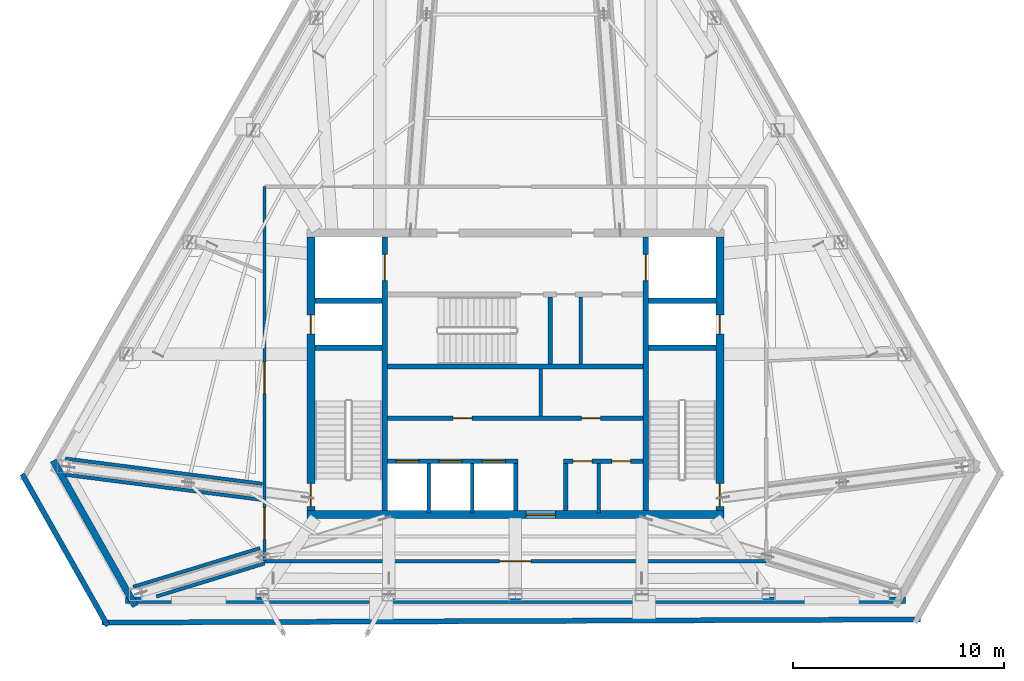
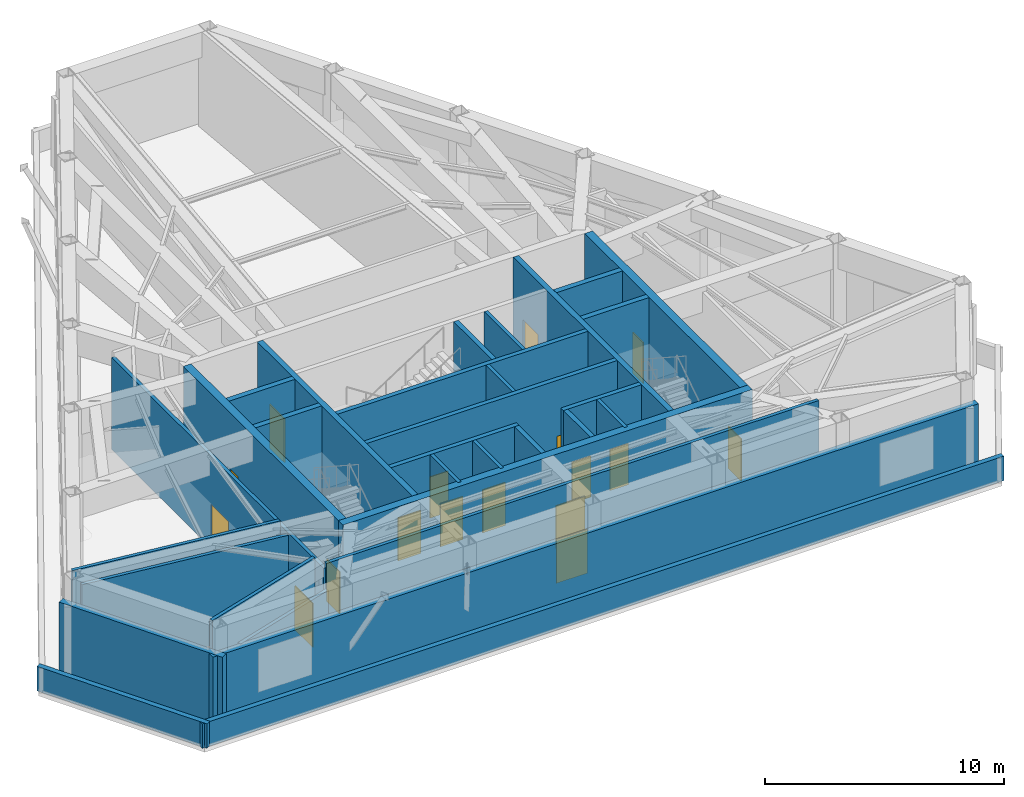
# One storey, part 9 of 13: 31 walls, 17 doors, 17 openings.
"""IFC4 building model written with IfcOpenShell, lengths in metres."""

from ifc_helpers import new_model, si_unit, direction, frame, frame_2d, origin, place, context, subcontext, project, spatial, rectangle, extrude, material, layer, layer_set, type_object, element, fill, save


model = new_model("IFC4")

# Units and contexts
model_context = context("Model", 3, precision=1e-05, world=origin(), true_north=direction((0.0, 1.0)))
body_context = subcontext(model_context, "Body", "Model", "MODEL_VIEW")
ifc_project = project(units=[si_unit("LENGTHUNIT", "METRE"), si_unit("AREAUNIT", "SQUARE_METRE"), si_unit("VOLUMEUNIT", "CUBIC_METRE"), si_unit("PLANEANGLEUNIT", "RADIAN"), si_unit("MASSUNIT", "GRAM", prefix="KILO")], contexts=[model_context])

# Site, building, storey
site_placement = place(None, origin())
site = spatial("IfcSite", under=ifc_project, at=site_placement, CompositionType="ELEMENT")
building_placement = place(site_placement, origin())
building = spatial("IfcBuilding", under=site, at=building_placement, Name="Kavelnor Concourse Tower", CompositionType="ELEMENT")
storey_placement = place(building_placement, frame((0.0, 0.0, 234.300048828125)))
storey = spatial("IfcBuildingStorey", under=building, at=storey_placement, Name="L59", CompositionType="ELEMENT", Elevation=234.300048828125)

# Wall, opening, door
ifc_material_1 = material(Name="Concrete C50/60", Category="concrete")
ifc_layer_1 = layer(ifc_material_1, 0.3798828125, Name="Concrete C50/60")
ifc_layer_set_1 = layer_set([ifc_layer_1], Name="Concrete C50/60")
wall_type_1 = type_object("IfcWallType", Name="WL-CORE-Z4-380", PredefinedType="SOLIDWALL", material=ifc_layer_set_1)
wall_1_placement = place(storey_placement, frame((28.10009765625, 9.409912109375, 0.0), z_axis=(0.0, 0.0, 1.0), x_axis=(1.0, 0.0, 0.0)))
wall_1 = element("IfcWall", 1, at=wall_1_placement, inside=storey, type_object=wall_type_1, Name="L59 Central Core South Shear Wall", PredefinedType="SOLIDWALL", context=body_context, shape_type="SweptSolid", body=[
    extrude(rectangle(XDim=19.7998046875, YDim=0.3798828125, at=frame_2d((9.89990234375, 0.0))), origin(), (0.0, 0.0, 1.0), 4.9599609375),
])
opening_1_placement = place(wall_1_placement, frame((10.39990234375, 0.0, 0.0)))
opening_1 = element("IfcOpeningElement", 2, at=opening_1_placement, cuts=wall_1, Name="Opening SD-140", PredefinedType="OPENING", context=body_context, shape_type="SweptSolid", body=[
    extrude(rectangle(XDim=1.39990234375, YDim=2.199951171875, at=frame_2d((0.699951171875, 1.10009765625))), frame((0.0, 0.199951171875, 0.0), z_axis=(0.0, -1.0, 0.0), x_axis=(1.0, 0.0, 0.0)), (0.0, 0.0, 1.0), 0.39990234375),
])
ifc_material_2 = material(Name="Solid-core hardwood timber", Category="wood")
door_type_1 = type_object("IfcDoorType", Name="DR-SUITE-ENTRY-1400", OperationType="NOTDEFINED", PredefinedType="DOOR", material=ifc_material_2)
door_1_placement = place(opening_1_placement, origin())
door_1 = element("IfcDoor", 3, at=door_1_placement, inside=storey, type_object=door_type_1, Name="L59 Passenger Lift Lobby Entry Door", OperationType="SINGLE_SWING_RIGHT", OverallHeight=2.199951171875, OverallWidth=1.39990234375, PredefinedType="DOOR", context=body_context, shape_type="SweptSolid", body=[
    extrude(rectangle(XDim=1.39990234375, YDim=2.199951171875, at=frame_2d((0.699951171875, 1.10009765625))), frame((0.0, 0.02490234375, 0.0), z_axis=(0.0, -1.0, 0.0), x_axis=(1.0, 0.0, 0.0)), (0.0, 0.0, 1.0), 0.050048828125),
])
fill(opening_1, door_1)

# Wall, openings, doors
wall_2_placement = place(storey_placement, frame((28.2900390625, 9.60009765625, 0.0), z_axis=(0.0, 0.0, 1.0), x_axis=(0.0, 1.0, 0.0)))
wall_2 = element("IfcWall", 4, at=wall_2_placement, inside=storey, type_object=wall_type_1, Name="L59 Central Core West Shear Wall", PredefinedType="SOLIDWALL", context=body_context, shape_type="SweptSolid", body=[
    extrude(rectangle(XDim=13.0, YDim=0.3798828125, at=frame_2d((6.5, 0.0))), origin(), (0.0, 0.0, 1.0), 4.9599609375),
])
opening_2_placement = place(wall_2_placement, frame((0.199951171875, 0.0, 0.0)))
opening_2 = element("IfcOpeningElement", 5, at=opening_2_placement, cuts=wall_2, Name="Opening FD-110", PredefinedType="OPENING", context=body_context, shape_type="SweptSolid", body=[
    extrude(rectangle(XDim=1.10009765625, YDim=2.14990234375, at=frame_2d((0.550048828125, 1.074951171875))), frame((0.0, 0.199951171875, 0.0), z_axis=(0.0, -1.0, 0.0), x_axis=(1.0, 0.0, 0.0)), (0.0, 0.0, 1.0), 0.39990234375),
])
opening_3_placement = place(wall_2_placement, frame((8.39990234375, 0.0, 0.0)))
opening_3 = element("IfcOpeningElement", 6, at=opening_3_placement, cuts=wall_2, Name="Opening FD-090", PredefinedType="OPENING", context=body_context, shape_type="SweptSolid", body=[
    extrude(rectangle(XDim=0.89990234375, YDim=2.10009765625, at=frame_2d((0.449951171875, 1.050048828125))), frame((0.0, 0.199951171875, 0.0), z_axis=(0.0, -1.0, 0.0), x_axis=(1.0, 0.0, 0.0)), (0.0, 0.0, 1.0), 0.39990234375),
])
ifc_material_3 = material(Name="Steel Grade 350", Category="steel")
door_type_2 = type_object("IfcDoorType", Name="DR-RISER-FIRE-900", OperationType="NOTDEFINED", PredefinedType="DOOR", material=ifc_material_3)
door_2_placement = place(opening_3_placement, origin())
door_2 = element("IfcDoor", 7, at=door_2_placement, inside=storey, type_object=door_type_2, Name="L59 West Riser Access Door", OperationType="SINGLE_SWING_RIGHT", OverallHeight=2.10009765625, OverallWidth=0.89990234375, PredefinedType="DOOR", context=body_context, shape_type="SweptSolid", body=[
    extrude(rectangle(XDim=0.89990234375, YDim=2.10009765625, at=frame_2d((0.449951171875, 1.050048828125))), frame((0.0, 0.02490234375, 0.0), z_axis=(0.0, -1.0, 0.0), x_axis=(1.0, 0.0, 0.0)), (0.0, 0.0, 1.0), 0.050048828125),
])
fill(opening_3, door_2)
door_type_3 = type_object("IfcDoorType", Name="DR-STAIR-FIRE-1100", OperationType="NOTDEFINED", PredefinedType="DOOR", material=ifc_material_3)
door_3_placement = place(opening_2_placement, origin())
door_3 = element("IfcDoor", 8, at=door_3_placement, inside=storey, type_object=door_type_3, Name="L59 Stair ST1 Fire Door", OperationType="SINGLE_SWING_LEFT", OverallHeight=2.14990234375, OverallWidth=1.10009765625, PredefinedType="DOOR", context=body_context, shape_type="SweptSolid", body=[
    extrude(rectangle(XDim=1.10009765625, YDim=2.14990234375, at=frame_2d((0.550048828125, 1.074951171875))), frame((0.0, 0.02490234375, 0.0), z_axis=(0.0, -1.0, 0.0), x_axis=(1.0, 0.0, 0.0)), (0.0, 0.0, 1.0), 0.050048828125),
])
fill(opening_2, door_3)

wall_3_placement = place(storey_placement, frame((47.7099609375, 9.60009765625, 0.0), z_axis=(0.0, 0.0, 1.0), x_axis=(0.0, 1.0, 0.0)))
wall_3 = element("IfcWall", 9, at=wall_3_placement, inside=storey, type_object=wall_type_1, Name="L59 Central Core East Shear Wall", PredefinedType="SOLIDWALL", context=body_context, shape_type="SweptSolid", body=[
    extrude(rectangle(XDim=13.0, YDim=0.3798828125, at=frame_2d((6.5, 0.0))), origin(), (0.0, 0.0, 1.0), 4.9599609375),
])
opening_4_placement = place(wall_3_placement, frame((0.199951171875, 0.0, 0.0)))
opening_4 = element("IfcOpeningElement", 10, at=opening_4_placement, cuts=wall_3, Name="Opening FD-110", PredefinedType="OPENING", context=body_context, shape_type="SweptSolid", body=[
    extrude(rectangle(XDim=1.10009765625, YDim=2.14990234375, at=frame_2d((0.550048828125, 1.074951171875))), frame((0.0, 0.199951171875, 0.0), z_axis=(0.0, -1.0, 0.0), x_axis=(1.0, 0.0, 0.0)), (0.0, 0.0, 1.0), 0.39990234375),
])
opening_5_placement = place(wall_3_placement, frame((8.39990234375, 0.0, 0.0)))
opening_5 = element("IfcOpeningElement", 11, at=opening_5_placement, cuts=wall_3, Name="Opening FD-090", PredefinedType="OPENING", context=body_context, shape_type="SweptSolid", body=[
    extrude(rectangle(XDim=0.89990234375, YDim=2.10009765625, at=frame_2d((0.449951171875, 1.050048828125))), frame((0.0, 0.199951171875, 0.0), z_axis=(0.0, -1.0, 0.0), x_axis=(1.0, 0.0, 0.0)), (0.0, 0.0, 1.0), 0.39990234375),
])
door_4_placement = place(opening_5_placement, origin())
door_4 = element("IfcDoor", 12, at=door_4_placement, inside=storey, type_object=door_type_2, Name="L59 East Riser Access Door", OperationType="SINGLE_SWING_LEFT", OverallHeight=2.10009765625, OverallWidth=0.89990234375, PredefinedType="DOOR", context=body_context, shape_type="SweptSolid", body=[
    extrude(rectangle(XDim=0.89990234375, YDim=2.10009765625, at=frame_2d((0.449951171875, 1.050048828125))), frame((0.0, 0.02490234375, 0.0), z_axis=(0.0, -1.0, 0.0), x_axis=(1.0, 0.0, 0.0)), (0.0, 0.0, 1.0), 0.050048828125),
])
fill(opening_5, door_4)
door_5_placement = place(opening_4_placement, origin())
door_5 = element("IfcDoor", 13, at=door_5_placement, inside=storey, type_object=door_type_3, Name="L59 Stair ST2 Fire Door", OperationType="SINGLE_SWING_RIGHT", OverallHeight=2.14990234375, OverallWidth=1.10009765625, PredefinedType="DOOR", context=body_context, shape_type="SweptSolid", body=[
    extrude(rectangle(XDim=1.10009765625, YDim=2.14990234375, at=frame_2d((0.550048828125, 1.074951171875))), frame((0.0, 0.02490234375, 0.0), z_axis=(0.0, -1.0, 0.0), x_axis=(1.0, 0.0, 0.0)), (0.0, 0.0, 1.0), 0.050048828125),
])
fill(opening_4, door_5)

# Walls
ifc_material_4 = material(Name="Buff ironspot clay face brick masonry", Category="masonry")
ifc_layer_2 = layer(ifc_material_4, 0.320068359375, Name="Buff ironspot clay face brick masonry")
ifc_layer_set_2 = layer_set([ifc_layer_2], Name="Buff ironspot clay face brick masonry")
wall_type_2 = type_object("IfcWallType", Name="WL-EXT-BUFF-BRICK-SPANDREL-320", PredefinedType="STANDARD", material=ifc_layer_set_2)
wall_4_placement = place(storey_placement, frame((19.965576171875, 5.072509765625, 0.0), z_axis=(0.0, 0.0, 1.0), x_axis=(-0.491920449469, 0.870640150346, 0.0)))
element("IfcWall", 14, at=wall_4_placement, inside=storey, type_object=wall_type_2, Name="L59 Exterior Brick Facade Wall E2", PredefinedType="STANDARD", context=body_context, shape_type="SweptSolid", body=[
    extrude(rectangle(XDim=7.938720703125, YDim=0.320068359375, at=frame_2d((3.96923828125, 0.0))), origin(), (0.0, 0.0, 1.0), 3.65185546875),
])
wall_5_placement = place(storey_placement, frame((56.515625, 5.353271484375, 0.0), z_axis=(0.0, 0.0, 1.0), x_axis=(-1.0, 0.0, 0.0)))
element("IfcWall", 15, at=wall_5_placement, inside=storey, type_object=wall_type_2, Name="L59 Exterior Brick Facade Wall E3", PredefinedType="STANDARD", context=body_context, shape_type="SweptSolid", body=[
    extrude(rectangle(XDim=37.03125, YDim=0.320068359375, at=frame_2d((18.515625, 0.0))), origin(), (0.0, 0.0, 1.0), 3.65185546875),
])
ifc_material_5 = material(Name="Gypsum plasterboard on light-gauge steel studs", Category="steel")
ifc_layer_3 = layer(ifc_material_5, 0.1650390625, Name="Gypsum plasterboard on light-gauge steel studs")
ifc_layer_set_3 = layer_set([ifc_layer_3], Name="Gypsum plasterboard on light-gauge steel studs")
wall_type_3 = type_object("IfcWallType", Name="WL-INT-FIRE-165", PredefinedType="PARTITIONING", material=ifc_layer_set_3)
for number, where, z_axis, x_axis, name in (
    (16, (33.89990234375, 9.489990234375, 0.0), (0.0, 0.0, 1.0), (0.0, 1.0, 0.0), "L59 Lift Shaft Divider LP7"),
    (17, (35.949951171875, 9.489990234375, 0.0), (0.0, 0.0, 1.0), (0.0, 1.0, 0.0), "L59 Lift Shaft Divider LP8"),
):
    element("IfcWall", number, at=place(storey_placement, frame(where, z_axis=z_axis, x_axis=x_axis)), inside=storey, type_object=wall_type_3, Name=name, PredefinedType="PARTITIONING", context=body_context, shape_type="SweptSolid", body=[
        extrude(rectangle(XDim=2.35009765625, YDim=0.1650390625, at=frame_2d((1.175048828125, 0.0))), origin(), (0.0, 0.0, 1.0), 4.9599609375),
    ])
wall_6_placement = place(storey_placement, frame((39.199951171875, 14.10009765625, 0.0), z_axis=(0.0, 0.0, 1.0), x_axis=(0.0, 1.0, 0.0)))
element("IfcWall", 18, at=wall_6_placement, inside=storey, type_object=wall_type_3, Name="L59 Reclaimed Core Partition C", PredefinedType="PARTITIONING", context=body_context, shape_type="SweptSolid", body=[
    extrude(rectangle(XDim=2.239990234375, YDim=0.1650390625, at=frame_2d((1.1201171875, 0.0))), origin(), (0.0, 0.0, 1.0), 4.9599609375),
])
wall_7_placement = place(storey_placement, frame((41.10009765625, 16.56005859375, 0.0), z_axis=(0.0, 0.0, 1.0), x_axis=(0.0, 1.0, 0.0)))
element("IfcWall", 19, at=wall_7_placement, inside=storey, type_object=wall_type_3, Name="L59 Core Support West Divider", PredefinedType="PARTITIONING", context=body_context, shape_type="SweptSolid", body=[
    extrude(rectangle(XDim=3.199951171875, YDim=0.1650390625, at=frame_2d((1.60009765625, 0.0))), origin(), (0.0, 0.0, 1.0), 4.9599609375),
])
wall_8_placement = place(storey_placement, frame((41.949951171875, 9.489990234375, 0.0), z_axis=(0.0, 0.0, 1.0), x_axis=(0.0, 1.0, 0.0)))
element("IfcWall", 20, at=wall_8_placement, inside=storey, type_object=wall_type_3, Name="L59 Core WC Partition", PredefinedType="PARTITIONING", context=body_context, shape_type="SweptSolid", body=[
    extrude(rectangle(XDim=2.35009765625, YDim=0.1650390625, at=frame_2d((1.175048828125, 0.0))), origin(), (0.0, 0.0, 1.0), 4.9599609375),
])

# Wall, opening, door
wall_9_placement = place(storey_placement, frame((26.090087890625, 7.2099609375, 0.0), z_axis=(0.0, 0.0, 1.0), x_axis=(1.0, 0.0, 0.0)))
wall_9 = element("IfcWall", 21, at=wall_9_placement, inside=storey, type_object=wall_type_3, Name="L59 Corridor Wall WL-L59-CR-S", PredefinedType="PARTITIONING", context=body_context, shape_type="SweptSolid", body=[
    extrude(rectangle(XDim=23.81982421875, YDim=0.1650390625, at=frame_2d((11.909912109375, 0.0))), origin(), (0.0, 0.0, 1.0), 4.9599609375),
])
opening_6_placement = place(wall_9_placement, frame((11.159912109375, 0.0, 0.0)))
opening_6 = element("IfcOpeningElement", 22, at=opening_6_placement, cuts=wall_9, Name="Opening PD-150", PredefinedType="OPENING", context=body_context, shape_type="SweptSolid", body=[
    extrude(rectangle(XDim=1.5, YDim=2.25, at=frame_2d((0.75, 1.125))), frame((0.0, 0.092529296875, 0.0), z_axis=(0.0, -1.0, 0.0), x_axis=(1.0, 0.0, 0.0)), (0.0, 0.0, 1.0), 0.18505859375),
])
door_type_4 = type_object("IfcDoorType", Name="DR-PLANT-1500", OperationType="NOTDEFINED", PredefinedType="DOOR", material=ifc_material_3)
door_6_placement = place(opening_6_placement, origin())
door_6 = element("IfcDoor", 23, at=door_6_placement, inside=storey, type_object=door_type_4, Name="L59 Fire Relay Pump Plant Room 06 Door", OperationType="DOUBLE_DOOR_SINGLE_SWING", OverallHeight=2.25, OverallWidth=1.5, PredefinedType="DOOR", context=body_context, shape_type="SweptSolid", body=[
    extrude(rectangle(XDim=1.5, YDim=2.25, at=frame_2d((0.75, 1.125))), frame((0.0, 0.02490234375, 0.0), z_axis=(0.0, -1.0, 0.0), x_axis=(1.0, 0.0, 0.0)), (0.0, 0.0, 1.0), 0.050048828125),
])
fill(opening_6, door_6)

# Wall, openings, doors
wall_10_placement = place(storey_placement, frame((26.090087890625, 7.2099609375, 0.0), z_axis=(0.0, 0.0, 1.0), x_axis=(0.0, 1.0, 0.0)))
wall_10 = element("IfcWall", 24, at=wall_10_placement, inside=storey, type_object=wall_type_3, Name="L59 Corridor Wall WL-L59-CR-W", PredefinedType="PARTITIONING", context=body_context, shape_type="SweptSolid", body=[
    extrude(rectangle(XDim=17.780029296875, YDim=0.1650390625, at=frame_2d((8.89013671875, 0.0))), origin(), (0.0, 0.0, 1.0), 4.698974609375),
])
opening_7_placement = place(wall_10_placement, frame((7.963134765625, 0.0, 0.0)))
opening_7 = element("IfcOpeningElement", 25, at=opening_7_placement, cuts=wall_10, Name="Opening PD-150", PredefinedType="OPENING", context=body_context, shape_type="SweptSolid", body=[
    extrude(rectangle(XDim=1.5, YDim=2.25, at=frame_2d((0.75, 1.125))), frame((0.0, 0.092529296875, 0.0), z_axis=(0.0, -1.0, 0.0), x_axis=(1.0, 0.0, 0.0)), (0.0, 0.0, 1.0), 0.18505859375),
])
opening_8_placement = place(wall_10_placement, frame((1.0283203125, 0.0, 0.0)))
opening_8 = element("IfcOpeningElement", 26, at=opening_8_placement, cuts=wall_10, Name="Opening PD-150", PredefinedType="OPENING", context=body_context, shape_type="SweptSolid", body=[
    extrude(rectangle(XDim=1.5, YDim=2.25, at=frame_2d((0.75, 1.125))), frame((0.0, 0.092529296875, 0.0), z_axis=(0.0, -1.0, 0.0), x_axis=(1.0, 0.0, 0.0)), (0.0, 0.0, 1.0), 0.18505859375),
])
door_7_placement = place(opening_7_placement, origin())
door_7 = element("IfcDoor", 27, at=door_7_placement, inside=storey, type_object=door_type_4, Name="L59 Refuge Area South-West 04 Door", OperationType="DOUBLE_DOOR_SINGLE_SWING", OverallHeight=2.25, OverallWidth=1.5, PredefinedType="DOOR", context=body_context, shape_type="SweptSolid", body=[
    extrude(rectangle(XDim=1.5, YDim=2.25, at=frame_2d((0.75, 1.125))), frame((0.0, 0.02490234375, 0.0), z_axis=(0.0, -1.0, 0.0), x_axis=(1.0, 0.0, 0.0)), (0.0, 0.0, 1.0), 0.050048828125),
])
fill(opening_7, door_7)
door_8_placement = place(opening_8_placement, origin())
door_8 = element("IfcDoor", 28, at=door_8_placement, inside=storey, type_object=door_type_4, Name="L59 Electrical Switchgear Plant Room 05 Door", OperationType="DOUBLE_DOOR_SINGLE_SWING", OverallHeight=2.25, OverallWidth=1.5, PredefinedType="DOOR", context=body_context, shape_type="SweptSolid", body=[
    extrude(rectangle(XDim=1.5, YDim=2.25, at=frame_2d((0.75, 1.125))), frame((0.0, 0.02490234375, 0.0), z_axis=(0.0, -1.0, 0.0), x_axis=(1.0, 0.0, 0.0)), (0.0, 0.0, 1.0), 0.050048828125),
])
fill(opening_8, door_8)

# Walls
wall_11_placement = place(storey_placement, frame((25.94189453125, 10.11962890625, 0.0), z_axis=(0.0, 0.0, 1.0), x_axis=(-0.991918429115, 0.126877224045, 0.0)))
element("IfcWall", 29, at=wall_11_placement, inside=storey, type_object=wall_type_3, Name="L59 Outrigger Truss Zone Wall 2L", PredefinedType="PARTITIONING", context=body_context, shape_type="SweptSolid", body=[
    extrude(rectangle(XDim=9.374755859375, YDim=0.1650390625, at=frame_2d((4.6875, 0.0))), origin(), (0.0, 0.0, 1.0), 4.698974609375),
])
wall_12_placement = place(storey_placement, frame((25.989990234375, 10.8798828125, 0.0), z_axis=(0.0, 0.0, 1.0), x_axis=(-0.991919681507, 0.126867432537, 0.0)))
element("IfcWall", 30, at=wall_12_placement, inside=storey, type_object=wall_type_3, Name="L59 Outrigger Truss Zone Wall 2R", PredefinedType="PARTITIONING", context=body_context, shape_type="SweptSolid", body=[
    extrude(rectangle(XDim=9.43896484375, YDim=0.1650390625, at=frame_2d((4.719482421875, 0.0))), origin(), (0.0, 0.0, 1.0), 4.9599609375),
])
wall_13_placement = place(storey_placement, frame((26.100830078125, 7.097900390625, 0.0), z_axis=(0.0, 0.0, 1.0), x_axis=(-0.956485702971, -0.291779197362, 0.0)))
element("IfcWall", 31, at=wall_13_placement, inside=storey, type_object=wall_type_3, Name="L59 Outrigger Truss Zone Wall 3L", PredefinedType="PARTITIONING", context=body_context, shape_type="SweptSolid", body=[
    extrude(rectangle(XDim=5.37939453125, YDim=0.1650390625, at=frame_2d((2.689697265625, 0.0))), origin(), (0.0, 0.0, 1.0), 3.655029296875),
])
wall_14_placement = place(storey_placement, frame((25.879150390625, 7.824951171875, 0.0), z_axis=(0.0, 0.0, 1.0), x_axis=(-0.956485946224, -0.291778399948, 0.0)))
element("IfcWall", 32, at=wall_14_placement, inside=storey, type_object=wall_type_3, Name="L59 Outrigger Truss Zone Wall 3R", PredefinedType="PARTITIONING", context=body_context, shape_type="SweptSolid", body=[
    extrude(rectangle(XDim=6.2998046875, YDim=0.1650390625, at=frame_2d((3.14990234375, 0.0))), origin(), (0.0, 0.0, 1.0), 4.9599609375),
])
ifc_material_6 = material(Name="Red-ochre clay face brick masonry", Category="masonry")
ifc_layer_4 = layer(ifc_material_6, 0.239990234375, Name="Red-ochre clay face brick masonry")
ifc_layer_set_4 = layer_set([ifc_layer_4], Name="Red-ochre clay face brick masonry")
wall_type_4 = type_object("IfcWallType", Name="WL-PARAPET-BRICK-240", PredefinedType="PARAPET", material=ifc_layer_set_4)
wall_15_placement = place(storey_placement, frame((14.586181640625, 11.341064453125, 0.0), z_axis=(0.0, 0.0, 1.0), x_axis=(0.491291359086, -0.870995293034, 0.0)))
element("IfcWall", 33, at=wall_15_placement, inside=storey, type_object=wall_type_4, Name="L59 Setback Roof Brick Parapet E2", PredefinedType="PARAPET", context=body_context, shape_type="SweptSolid", body=[
    extrude(rectangle(XDim=8.279052734375, YDim=0.239990234375, at=frame_2d((4.1396484375, 0.0))), origin(), (0.0, 0.0, 1.0), 1.25),
])
wall_16_placement = place(storey_placement, frame((18.382080078125, 4.2880859375, 0.0), z_axis=(0.0, 0.0, 1.0), x_axis=(0.999992366571, 0.003907275327, 0.0)))
element("IfcWall", 34, at=wall_16_placement, inside=storey, type_object=wall_type_4, Name="L59 Setback Roof Brick Parapet E3", PredefinedType="PARAPET", context=body_context, shape_type="SweptSolid", body=[
    extrude(rectangle(XDim=38.86474609375, YDim=0.239990234375, at=frame_2d((19.432373046875, 0.0))), origin(), (0.0, 0.0, 1.0), 1.25),
])
ifc_layer_5 = layer(ifc_material_1, 0.219970703125, Name="Concrete C50/60")
ifc_layer_set_5 = layer_set([ifc_layer_5], Name="Concrete C50/60")
wall_type_5 = type_object("IfcWallType", Name="WL-SHAFT-220", PredefinedType="SOLIDWALL", material=ifc_layer_set_5)
wall_17_placement = place(storey_placement, frame((31.93994140625, 16.449951171875, 0.0), z_axis=(0.0, 0.0, 1.0), x_axis=(1.0, 0.0, 0.0)))
element("IfcWall", 35, at=wall_17_placement, inside=storey, type_object=wall_type_5, Name="L59 Stair ST3 South Core Wall", PredefinedType="SOLIDWALL", context=body_context, shape_type="SweptSolid", body=[
    extrude(rectangle(XDim=12.1201171875, YDim=0.219970703125, at=frame_2d((6.06005859375, 0.0))), origin(), (0.0, 0.0, 1.0), 4.9599609375),
])
wall_18_placement = place(storey_placement, frame((39.64990234375, 16.56005859375, 0.0), z_axis=(0.0, 0.0, 1.0), x_axis=(0.0, 1.0, 0.0)))
element("IfcWall", 36, at=wall_18_placement, inside=storey, type_object=wall_type_5, Name="L59 Stair ST3 East Core Wall", PredefinedType="SOLIDWALL", context=body_context, shape_type="SweptSolid", body=[
    extrude(rectangle(XDim=3.199951171875, YDim=0.219970703125, at=frame_2d((1.60009765625, 0.0))), origin(), (0.0, 0.0, 1.0), 4.9599609375),
])

# Wall, openings, doors
wall_19_placement = place(storey_placement, frame((31.93994140625, 13.989990234375, 0.0), z_axis=(0.0, 0.0, 1.0), x_axis=(1.0, 0.0, 0.0)))
wall_19 = element("IfcWall", 37, at=wall_19_placement, inside=storey, type_object=wall_type_5, Name="L59 North Lift Row Shaft Wall", PredefinedType="SOLIDWALL", context=body_context, shape_type="SweptSolid", body=[
    extrude(rectangle(XDim=12.1201171875, YDim=0.219970703125, at=frame_2d((6.06005859375, 0.0))), origin(), (0.0, 0.0, 1.0), 4.9599609375),
])
opening_9_placement = place(wall_19_placement, frame((3.110107421875, 0.0, 0.0)))
opening_9 = element("IfcOpeningElement", 38, at=opening_9_placement, cuts=wall_19, Name="Opening FD-090", PredefinedType="OPENING", context=body_context, shape_type="SweptSolid", body=[
    extrude(rectangle(XDim=0.89990234375, YDim=2.10009765625, at=frame_2d((0.449951171875, 1.050048828125))), frame((0.0, 0.1201171875, 0.0), z_axis=(0.0, -1.0, 0.0), x_axis=(1.0, 0.0, 0.0)), (0.0, 0.0, 1.0), 0.239990234375),
])
opening_10_placement = place(wall_19_placement, frame((9.2099609375, 0.0, 0.0)))
opening_10 = element("IfcOpeningElement", 39, at=opening_10_placement, cuts=wall_19, Name="Opening FD-090", PredefinedType="OPENING", context=body_context, shape_type="SweptSolid", body=[
    extrude(rectangle(XDim=0.89990234375, YDim=2.10009765625, at=frame_2d((0.449951171875, 1.050048828125))), frame((0.0, 0.1201171875, 0.0), z_axis=(0.0, -1.0, 0.0), x_axis=(1.0, 0.0, 0.0)), (0.0, 0.0, 1.0), 0.239990234375),
])
door_9_placement = place(opening_9_placement, origin())
door_9 = element("IfcDoor", 40, at=door_9_placement, inside=storey, type_object=door_type_2, Name="L59 Lounge Pantry Door", OperationType="SINGLE_SWING_LEFT", OverallHeight=2.10009765625, OverallWidth=0.89990234375, PredefinedType="DOOR", context=body_context, shape_type="SweptSolid", body=[
    extrude(rectangle(XDim=0.89990234375, YDim=2.10009765625, at=frame_2d((0.449951171875, 1.050048828125))), frame((0.0, 0.02490234375, 0.0), z_axis=(0.0, -1.0, 0.0), x_axis=(1.0, 0.0, 0.0)), (0.0, 0.0, 1.0), 0.050048828125),
])
fill(opening_9, door_9)
door_10_placement = place(opening_10_placement, origin())
door_10 = element("IfcDoor", 41, at=door_10_placement, inside=storey, type_object=door_type_2, Name="L59 Facilities Store Door", OperationType="SINGLE_SWING_RIGHT", OverallHeight=2.10009765625, OverallWidth=0.89990234375, PredefinedType="DOOR", context=body_context, shape_type="SweptSolid", body=[
    extrude(rectangle(XDim=0.89990234375, YDim=2.10009765625, at=frame_2d((0.449951171875, 1.050048828125))), frame((0.0, 0.02490234375, 0.0), z_axis=(0.0, -1.0, 0.0), x_axis=(1.0, 0.0, 0.0)), (0.0, 0.0, 1.0), 0.050048828125),
])
fill(opening_10, door_10)

wall_20_placement = place(storey_placement, frame((31.93994140625, 11.949951171875, 0.0), z_axis=(0.0, 0.0, 1.0), x_axis=(1.0, 0.0, 0.0)))
wall_20 = element("IfcWall", 42, at=wall_20_placement, inside=storey, type_object=wall_type_5, Name="L59 High-Rise Lift Bank North Wall", PredefinedType="SOLIDWALL", context=body_context, shape_type="SweptSolid", body=[
    extrude(rectangle(XDim=6.18994140625, YDim=0.219970703125, at=frame_2d((3.094970703125, 0.0))), origin(), (0.0, 0.0, 1.0), 4.9599609375),
])
opening_11_placement = place(wall_20_placement, frame((0.385009765625, 0.0, 0.0)))
opening_11 = element("IfcOpeningElement", 43, at=opening_11_placement, cuts=wall_20, Name="Opening LD-110", PredefinedType="OPENING", context=body_context, shape_type="SweptSolid", body=[
    extrude(rectangle(XDim=1.10009765625, YDim=2.199951171875, at=frame_2d((0.550048828125, 1.10009765625))), frame((0.0, 0.1201171875, 0.0), z_axis=(0.0, -1.0, 0.0), x_axis=(1.0, 0.0, 0.0)), (0.0, 0.0, 1.0), 0.239990234375),
])
opening_12_placement = place(wall_20_placement, frame((2.43505859375, 0.0, 0.0)))
opening_12 = element("IfcOpeningElement", 44, at=opening_12_placement, cuts=wall_20, Name="Opening LD-110", PredefinedType="OPENING", context=body_context, shape_type="SweptSolid", body=[
    extrude(rectangle(XDim=1.10009765625, YDim=2.199951171875, at=frame_2d((0.550048828125, 1.10009765625))), frame((0.0, 0.1201171875, 0.0), z_axis=(0.0, -1.0, 0.0), x_axis=(1.0, 0.0, 0.0)), (0.0, 0.0, 1.0), 0.239990234375),
])
opening_13_placement = place(wall_20_placement, frame((4.485107421875, 0.0, 0.0)))
opening_13 = element("IfcOpeningElement", 45, at=opening_13_placement, cuts=wall_20, Name="Opening LD-110", PredefinedType="OPENING", context=body_context, shape_type="SweptSolid", body=[
    extrude(rectangle(XDim=1.10009765625, YDim=2.199951171875, at=frame_2d((0.550048828125, 1.10009765625))), frame((0.0, 0.1201171875, 0.0), z_axis=(0.0, -1.0, 0.0), x_axis=(1.0, 0.0, 0.0)), (0.0, 0.0, 1.0), 0.239990234375),
])
door_type_5 = type_object("IfcDoorType", Name="DR-LIFT-SLIDING-1100", OperationType="NOTDEFINED", PredefinedType="DOOR", material=ifc_material_3)
door_11_placement = place(opening_11_placement, origin())
door_11 = element("IfcDoor", 46, at=door_11_placement, inside=storey, type_object=door_type_5, Name="L59 Lift LP7 Landing Door", OperationType="DOUBLE_DOOR_SLIDING", OverallHeight=2.199951171875, OverallWidth=1.10009765625, PredefinedType="DOOR", context=body_context, shape_type="SweptSolid", body=[
    extrude(rectangle(XDim=1.10009765625, YDim=2.199951171875, at=frame_2d((0.550048828125, 1.10009765625))), frame((0.0, 0.02490234375, 0.0), z_axis=(0.0, -1.0, 0.0), x_axis=(1.0, 0.0, 0.0)), (0.0, 0.0, 1.0), 0.050048828125),
])
fill(opening_11, door_11)
door_12_placement = place(opening_12_placement, origin())
door_12 = element("IfcDoor", 47, at=door_12_placement, inside=storey, type_object=door_type_5, Name="L59 Lift LP8 Landing Door", OperationType="DOUBLE_DOOR_SLIDING", OverallHeight=2.199951171875, OverallWidth=1.10009765625, PredefinedType="DOOR", context=body_context, shape_type="SweptSolid", body=[
    extrude(rectangle(XDim=1.10009765625, YDim=2.199951171875, at=frame_2d((0.550048828125, 1.10009765625))), frame((0.0, 0.02490234375, 0.0), z_axis=(0.0, -1.0, 0.0), x_axis=(1.0, 0.0, 0.0)), (0.0, 0.0, 1.0), 0.050048828125),
])
fill(opening_12, door_12)
door_13_placement = place(opening_13_placement, origin())
door_13 = element("IfcDoor", 48, at=door_13_placement, inside=storey, type_object=door_type_5, Name="L59 Lift LP9 Landing Door", OperationType="DOUBLE_DOOR_SLIDING", OverallHeight=2.199951171875, OverallWidth=1.10009765625, PredefinedType="DOOR", context=body_context, shape_type="SweptSolid", body=[
    extrude(rectangle(XDim=1.10009765625, YDim=2.199951171875, at=frame_2d((0.550048828125, 1.10009765625))), frame((0.0, 0.02490234375, 0.0), z_axis=(0.0, -1.0, 0.0), x_axis=(1.0, 0.0, 0.0)), (0.0, 0.0, 1.0), 0.050048828125),
])
fill(opening_13, door_13)

wall_21_placement = place(storey_placement, frame((40.280029296875, 11.949951171875, 0.0), z_axis=(0.0, 0.0, 1.0), x_axis=(1.0, 0.0, 0.0)))
wall_21 = element("IfcWall", 49, at=wall_21_placement, inside=storey, type_object=wall_type_5, Name="L59 Core South Support North Wall", PredefinedType="SOLIDWALL", context=body_context, shape_type="SweptSolid", body=[
    extrude(rectangle(XDim=3.780029296875, YDim=0.219970703125, at=frame_2d((1.89013671875, 0.0))), origin(), (0.0, 0.0, 1.0), 4.9599609375),
])
opening_14_placement = place(wall_21_placement, frame((0.469970703125, 0.0, 0.0)))
opening_14 = element("IfcOpeningElement", 50, at=opening_14_placement, cuts=wall_21, Name="Opening FD-090", PredefinedType="OPENING", context=body_context, shape_type="SweptSolid", body=[
    extrude(rectangle(XDim=0.89990234375, YDim=2.10009765625, at=frame_2d((0.449951171875, 1.050048828125))), frame((0.0, 0.1201171875, 0.0), z_axis=(0.0, -1.0, 0.0), x_axis=(1.0, 0.0, 0.0)), (0.0, 0.0, 1.0), 0.239990234375),
])
opening_15_placement = place(wall_21_placement, frame((2.300048828125, 0.0, 0.0)))
opening_15 = element("IfcOpeningElement", 51, at=opening_15_placement, cuts=wall_21, Name="Opening FD-090", PredefinedType="OPENING", context=body_context, shape_type="SweptSolid", body=[
    extrude(rectangle(XDim=0.89990234375, YDim=2.10009765625, at=frame_2d((0.449951171875, 1.050048828125))), frame((0.0, 0.1201171875, 0.0), z_axis=(0.0, -1.0, 0.0), x_axis=(1.0, 0.0, 0.0)), (0.0, 0.0, 1.0), 0.239990234375),
])
door_14_placement = place(opening_14_placement, origin())
door_14 = element("IfcDoor", 52, at=door_14_placement, inside=storey, type_object=door_type_2, Name="L59 Staff WC Door", OperationType="SINGLE_SWING_LEFT", OverallHeight=2.10009765625, OverallWidth=0.89990234375, PredefinedType="DOOR", context=body_context, shape_type="SweptSolid", body=[
    extrude(rectangle(XDim=0.89990234375, YDim=2.10009765625, at=frame_2d((0.449951171875, 1.050048828125))), frame((0.0, 0.02490234375, 0.0), z_axis=(0.0, -1.0, 0.0), x_axis=(1.0, 0.0, 0.0)), (0.0, 0.0, 1.0), 0.050048828125),
])
fill(opening_14, door_14)
door_15_placement = place(opening_15_placement, origin())
door_15 = element("IfcDoor", 53, at=door_15_placement, inside=storey, type_object=door_type_2, Name="L59 Core Comms Door", OperationType="SINGLE_SWING_RIGHT", OverallHeight=2.10009765625, OverallWidth=0.89990234375, PredefinedType="DOOR", context=body_context, shape_type="SweptSolid", body=[
    extrude(rectangle(XDim=0.89990234375, YDim=2.10009765625, at=frame_2d((0.449951171875, 1.050048828125))), frame((0.0, 0.02490234375, 0.0), z_axis=(0.0, -1.0, 0.0), x_axis=(1.0, 0.0, 0.0)), (0.0, 0.0, 1.0), 0.050048828125),
])
fill(opening_15, door_15)

# Walls
for number, where, z_axis, x_axis, name in (
    (54, (38.02001953125, 9.60009765625, 0.0), (0.0, 0.0, 1.0), (0.0, 1.0, 0.0), "L59 Lift Lobby Throat West Wall"),
    (55, (40.389892578125, 9.60009765625, 0.0), (0.0, 0.0, 1.0), (0.0, 1.0, 0.0), "L59 Lift Lobby Throat East Wall"),
):
    element("IfcWall", number, at=place(storey_placement, frame(where, z_axis=z_axis, x_axis=x_axis)), inside=storey, type_object=wall_type_5, Name=name, PredefinedType="SOLIDWALL", context=body_context, shape_type="SweptSolid", body=[
        extrude(rectangle(XDim=2.239990234375, YDim=0.219970703125, at=frame_2d((1.1201171875, 0.0))), origin(), (0.0, 0.0, 1.0), 4.9599609375),
    ])

# Wall, opening, door
ifc_layer_6 = layer(ifc_material_1, 0.260009765625, Name="Concrete C50/60")
ifc_layer_set_6 = layer_set([ifc_layer_6], Name="Concrete C50/60")
wall_type_6 = type_object("IfcWallType", Name="WL-SHAFT-260", PredefinedType="SHEAR", material=ifc_layer_set_6)
wall_22_placement = place(storey_placement, frame((31.81005859375, 9.60009765625, 0.0), z_axis=(0.0, 0.0, 1.0), x_axis=(0.0, 1.0, 0.0)))
wall_22 = element("IfcWall", 56, at=wall_22_placement, inside=storey, type_object=wall_type_6, Name="L59 Core West Wing Shear Wall", PredefinedType="SHEAR", context=body_context, shape_type="SweptSolid", body=[
    extrude(rectangle(XDim=13.0, YDim=0.260009765625, at=frame_2d((6.5, 0.0))), origin(), (0.0, 0.0, 1.0), 4.9599609375),
])
opening_16_placement = place(wall_22_placement, frame((10.925048828125, 0.0, 0.0)))
opening_16 = element("IfcOpeningElement", 57, at=opening_16_placement, cuts=wall_22, Name="Opening LD-125", PredefinedType="OPENING", context=body_context, shape_type="SweptSolid", body=[
    extrude(rectangle(XDim=1.25, YDim=2.25, at=frame_2d((0.625, 1.125))), frame((0.0, 0.14013671875, 0.0), z_axis=(0.0, -1.0, 0.0), x_axis=(1.0, 0.0, 0.0)), (0.0, 0.0, 1.0), 0.280029296875),
])
door_type_6 = type_object("IfcDoorType", Name="DR-LIFT-SLIDING-1250", OperationType="NOTDEFINED", PredefinedType="DOOR", material=ifc_material_3)
door_16_placement = place(opening_16_placement, origin())
door_16 = element("IfcDoor", 58, at=door_16_placement, inside=storey, type_object=door_type_6, Name="L59 Emergency Lift FL1 Landing Door", OperationType="DOUBLE_DOOR_SLIDING", OverallHeight=2.25, OverallWidth=1.25, PredefinedType="DOOR", context=body_context, shape_type="SweptSolid", body=[
    extrude(rectangle(XDim=1.25, YDim=2.25, at=frame_2d((0.625, 1.125))), frame((0.0, 0.02490234375, 0.0), z_axis=(0.0, -1.0, 0.0), x_axis=(1.0, 0.0, 0.0)), (0.0, 0.0, 1.0), 0.050048828125),
])
fill(opening_16, door_16)

wall_23_placement = place(storey_placement, frame((44.18994140625, 9.60009765625, 0.0), z_axis=(0.0, 0.0, 1.0), x_axis=(0.0, 1.0, 0.0)))
wall_23 = element("IfcWall", 59, at=wall_23_placement, inside=storey, type_object=wall_type_6, Name="L59 Core East Wing Shear Wall", PredefinedType="SHEAR", context=body_context, shape_type="SweptSolid", body=[
    extrude(rectangle(XDim=13.0, YDim=0.260009765625, at=frame_2d((6.5, 0.0))), origin(), (0.0, 0.0, 1.0), 4.9599609375),
])
opening_17_placement = place(wall_23_placement, frame((10.925048828125, 0.0, 0.0)))
opening_17 = element("IfcOpeningElement", 60, at=opening_17_placement, cuts=wall_23, Name="Opening LD-125", PredefinedType="OPENING", context=body_context, shape_type="SweptSolid", body=[
    extrude(rectangle(XDim=1.25, YDim=2.25, at=frame_2d((0.625, 1.125))), frame((0.0, 0.14013671875, 0.0), z_axis=(0.0, -1.0, 0.0), x_axis=(1.0, 0.0, 0.0)), (0.0, 0.0, 1.0), 0.280029296875),
])
door_17_placement = place(opening_17_placement, origin())
door_17 = element("IfcDoor", 61, at=door_17_placement, inside=storey, type_object=door_type_6, Name="L59 Emergency Lift FL2 Landing Door", OperationType="DOUBLE_DOOR_SLIDING", OverallHeight=2.25, OverallWidth=1.25, PredefinedType="DOOR", context=body_context, shape_type="SweptSolid", body=[
    extrude(rectangle(XDim=1.25, YDim=2.25, at=frame_2d((0.625, 1.125))), frame((0.0, 0.02490234375, 0.0), z_axis=(0.0, -1.0, 0.0), x_axis=(1.0, 0.0, 0.0)), (0.0, 0.0, 1.0), 0.050048828125),
])
fill(opening_17, door_17)

# Walls
for number, where, z_axis, x_axis, name in (
    (62, (28.47998046875, 17.330078125, 0.0), (0.0, 0.0, 1.0), (1.0, 0.0, 0.0), "L59 Stair ST1 North Shaft Wall"),
    (63, (28.47998046875, 19.570068359375, 0.0), (0.0, 0.0, 1.0), (1.0, 0.0, 0.0), "L59 Emergency Lift FL1 South Shaft Wall"),
    (64, (44.320068359375, 17.330078125, 0.0), (0.0, 0.0, 1.0), (1.0, 0.0, 0.0), "L59 Stair ST2 North Shaft Wall"),
    (65, (44.320068359375, 19.570068359375, 0.0), (0.0, 0.0, 1.0), (1.0, 0.0, 0.0), "L59 Emergency Lift FL2 South Shaft Wall"),
):
    element("IfcWall", number, at=place(storey_placement, frame(where, z_axis=z_axis, x_axis=x_axis)), inside=storey, type_object=wall_type_6, Name=name, PredefinedType="SHEAR", context=body_context, shape_type="SweptSolid", body=[
        extrude(rectangle(XDim=3.199951171875, YDim=0.260009765625, at=frame_2d((1.60009765625, 0.0))), origin(), (0.0, 0.0, 1.0), 4.9599609375),
    ])

save(model, "model.ifc")
